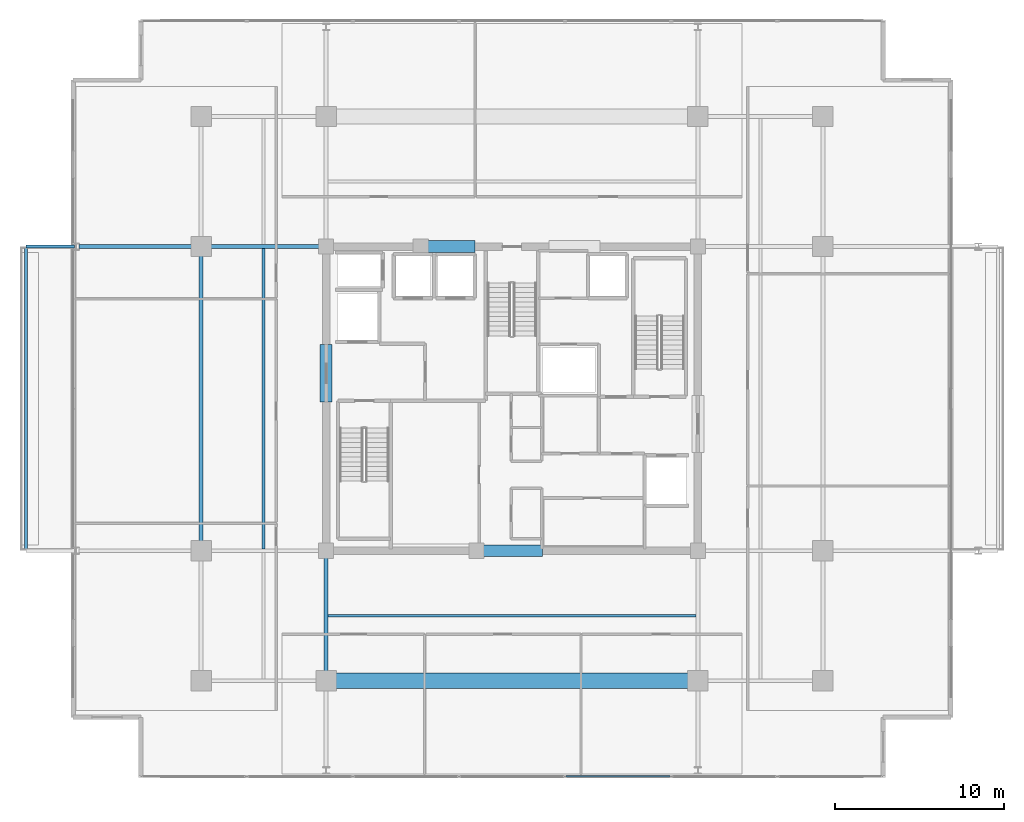
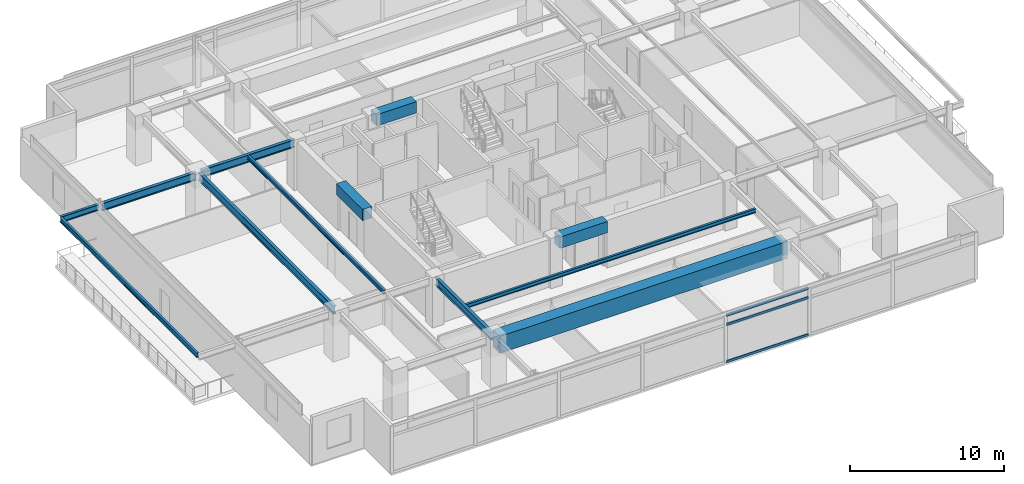
# One storey, part 5 of 21: 12 beams, 3 members, 1 element without a shape of its own.
"""IFC4 building model written with IfcOpenShell, lengths in metres."""

from ifc_helpers import new_model, si_unit, direction, frame, origin, origin_2d, place, context, subcontext, project, spatial, rectangle, hollow_rectangle, i_section, extrude, material, material_profile, profile_set, type_object, element, aggregate, save


model = new_model("IFC4")

# Units and contexts
model_context = context("Model", 3, precision=1e-05, world=origin(), true_north=direction((0.0, 1.0)))
body_context = subcontext(model_context, "Body", "Model", "MODEL_VIEW")
ifc_project = project(units=[si_unit("LENGTHUNIT", "METRE"), si_unit("AREAUNIT", "SQUARE_METRE"), si_unit("VOLUMEUNIT", "CUBIC_METRE"), si_unit("PLANEANGLEUNIT", "RADIAN"), si_unit("MASSUNIT", "GRAM", prefix="KILO")], contexts=[model_context])

# Site, building, storey
site_placement = place(None, origin())
site = spatial("IfcSite", under=ifc_project, at=site_placement, CompositionType="ELEMENT")
building_placement = place(site_placement, origin())
building = spatial("IfcBuilding", under=site, at=building_placement, Name="Kovane Verandah Tower", CompositionType="ELEMENT")
storey_placement = place(building_placement, frame((0.0, 0.0, 275.199951171875)))
storey = spatial("IfcBuildingStorey", under=building, at=storey_placement, Name="L64", CompositionType="ELEMENT", Elevation=275.199951171875)

# Beams
ifc_material_1 = material(Name="Concrete C60/75", Category="concrete")
ifc_material_profile_1 = material_profile(ifc_material_1, rectangle(XDim=0.699951171875, YDim=0.89990234375, at=origin_2d()), Name="RCB700x900")
ifc_profile_set_1 = profile_set([ifc_material_profile_1], Name="Concrete C60/75")
beam_type_1 = type_object("IfcBeamType", Name="BM-LINTEL-700x900", PredefinedType="LINTEL", material=ifc_profile_set_1)
beam_1_placement = place(storey_placement, frame((38.199951171875, 18.5, 3.3349609375), z_axis=(1.0, 0.0, 0.0), x_axis=(0.0, 1.0, 0.0)))
element("IfcBeam", 1, at=beam_1_placement, inside=storey, type_object=beam_type_1, Name="L64 Core Coupling Lintel CL-S", PredefinedType="LINTEL", context=body_context, shape_type="SweptSolid", body=[
    extrude(rectangle(XDim=0.699951171875, YDim=0.89990234375, at=origin_2d()), origin(), (0.0, 0.0, 1.0), 3.60009765625),
])
beam_2_placement = place(storey_placement, frame((34.800048828125, 36.5, 3.3349609375), z_axis=(1.0, 0.0, 0.0), x_axis=(0.0, 1.0, 0.0)))
element("IfcBeam", 2, at=beam_2_placement, inside=storey, type_object=beam_type_1, Name="L64 Core Coupling Lintel CL-N1", PredefinedType="LINTEL", context=body_context, shape_type="SweptSolid", body=[
    extrude(rectangle(XDim=0.699951171875, YDim=0.89990234375, at=origin_2d()), origin(), (0.0, 0.0, 1.0), 3.0),
])
beam_3_placement = place(storey_placement, frame((29.0, 27.300048828125, 3.3349609375), z_axis=(0.0, 1.0, 0.0), x_axis=(-1.0, 0.0, 0.0)))
element("IfcBeam", 3, at=beam_3_placement, inside=storey, type_object=beam_type_1, Name="L64 Core Coupling Lintel CL-W", PredefinedType="LINTEL", context=body_context, shape_type="SweptSolid", body=[
    extrude(rectangle(XDim=0.699951171875, YDim=0.89990234375, at=origin_2d()), origin(), (0.0, 0.0, 1.0), 3.39990234375),
])
ifc_material_2 = material(Name="Concrete C80/95", Category="concrete")
ifc_material_profile_2 = material_profile(ifc_material_2, rectangle(XDim=0.89990234375, YDim=1.35009765625, at=origin_2d()), Name="RCB900x1350")
ifc_profile_set_2 = profile_set([ifc_material_profile_2], Name="Concrete C80/95")
beam_type_2 = type_object("IfcBeamType", Name="BM-TR-900x1350", PredefinedType="BEAM", material=ifc_profile_set_2)
beam_4_placement = place(storey_placement, frame((29.179931640625, 10.800048828125, 3.110107421875), z_axis=(1.0, 0.0, 0.0), x_axis=(0.0, 1.0, 0.0)))
element("IfcBeam", 4, at=beam_4_placement, inside=storey, type_object=beam_type_2, Name="L64 Primary Tower Girder G-RS2", PredefinedType="BEAM", context=body_context, shape_type="SweptSolid", body=[
    extrude(rectangle(XDim=0.89990234375, YDim=1.35009765625, at=origin_2d()), origin(), (0.0, 0.0, 1.0), 21.64013671875),
])
ifc_material_3 = material(Name="Steel S355", Category="steel")
ifc_material_profile_3 = material_profile(ifc_material_3, i_section(OverallWidth=0.230224609375, OverallDepth=0.6171875, WebThickness=0.01318359375, FlangeThickness=0.022216796875, FilletRadius=0.0126953125, at=origin_2d()), Name="UB610x229x140")
ifc_profile_set_3 = profile_set([ifc_material_profile_3], Name="Steel S355")
beam_type_3 = type_object("IfcBeamType", Name="BM-UB610x140", PredefinedType="BEAM", material=ifc_profile_set_3)
beam_5_placement = place(storey_placement, frame((21.60009765625, 18.679931640625, 3.4765625), z_axis=(0.0, 1.0, 0.0), x_axis=(-1.0, 0.0, 0.0)))
element("IfcBeam", 5, at=beam_5_placement, inside=storey, type_object=beam_type_3, Name="L64 Primary Tower Girder G-RW2", PredefinedType="BEAM", context=body_context, shape_type="SweptSolid", body=[
    extrude(i_section(OverallWidth=0.230224609375, OverallDepth=0.6171875, WebThickness=0.01318359375, FlangeThickness=0.022216796875, FilletRadius=0.0126953125, at=origin_2d()), origin(), (0.0, 0.0, 1.0), 17.64013671875),
])
beam_6_placement = place(storey_placement, frame((28.820068359375, 36.5, 3.4765625), z_axis=(-1.0, 0.0, 0.0), x_axis=(0.0, -1.0, 0.0)))
element("IfcBeam", 6, at=beam_6_placement, inside=storey, type_object=beam_type_3, Name="L64 Primary Tower Girder G-W2", PredefinedType="BEAM", context=body_context, shape_type="SweptSolid", body=[
    extrude(i_section(OverallWidth=0.230224609375, OverallDepth=0.6171875, WebThickness=0.01318359375, FlangeThickness=0.022216796875, FilletRadius=0.0126953125, at=origin_2d()), origin(), (0.0, 0.0, 1.0), 7.0400390625),
])
beam_7_placement = place(storey_placement, frame((29.0, 18.320068359375, 3.4765625), z_axis=(0.0, -1.0, 0.0), x_axis=(1.0, 0.0, 0.0)))
element("IfcBeam", 7, at=beam_7_placement, inside=storey, type_object=beam_type_3, Name="L64 Primary Tower Girder G-S1", PredefinedType="BEAM", context=body_context, shape_type="SweptSolid", body=[
    extrude(i_section(OverallWidth=0.230224609375, OverallDepth=0.6171875, WebThickness=0.01318359375, FlangeThickness=0.022216796875, FilletRadius=0.0126953125, at=origin_2d()), origin(), (0.0, 0.0, 1.0), 7.340087890625),
])
beam_8_placement = place(storey_placement, frame((21.419921875, 36.5, 3.451416015625), z_axis=(-1.0, 0.0, 0.0), x_axis=(0.0, -1.0, 0.0)))
element("IfcBeam", 8, at=beam_8_placement, inside=storey, type_object=beam_type_3, Name="L64 Primary Tower Girder G-VW2", PredefinedType="BEAM", context=body_context, shape_type="SweptSolid", body=[
    extrude(i_section(OverallWidth=0.230224609375, OverallDepth=0.6171875, WebThickness=0.01318359375, FlangeThickness=0.022216796875, FilletRadius=0.0126953125, at=origin_2d()), origin(), (0.0, 0.0, 1.0), 7.0400390625),
])

# Curtain wall, members
ifc_material_4 = material(Name="Champagne Anodised Aluminium Frame with Low-E Clear Laminated Glass", Category="aluminium")
curtain_wall_type = type_object("IfcCurtainWallType", Name="CW-SYS-05-HIGH", PredefinedType="NOTDEFINED", material=ifc_material_4)
curtain_wall_placement = place(storey_placement, origin())
curtain_wall = element("IfcCurtainWall", 9, at=curtain_wall_placement, inside=storey, type_object=curtain_wall_type, Name="L64 S Unitised Curtain Wall", PredefinedType="NOTDEFINED")
ifc_material_5 = material(Name="Champagne Anodised Aluminium 6063-T6", Category="aluminium")
ifc_material_profile_4 = material_profile(ifc_material_5, hollow_rectangle(XDim=0.0849609375, YDim=0.18994140625, WallThickness=0.00390625, at=origin_2d()), Name="AL85x190x4")
ifc_profile_set_4 = profile_set([ifc_material_profile_4], Name="Champagne Anodised Aluminium 6063-T6")
member_type = type_object("IfcMemberType", Name="CW-TRN-85x190", PredefinedType="USERDEFINED", material=ifc_profile_set_4)
member_1_placement = place(storey_placement, frame((43.1884765625, 5.139892578125, 0.050048828125), z_axis=(1.0, 0.0, 0.0), x_axis=(0.0, 1.0, 0.0)))
member_1 = element("IfcMember", 10, at=member_1_placement, type_object=member_type, Name="L64 S Unitised Curtain Wall Transom TB Bay 5", ObjectType="TRANSOM", PredefinedType="USERDEFINED", context=body_context, shape_type="SweptSolid", body=[
    extrude(hollow_rectangle(XDim=0.0849609375, YDim=0.18994140625, WallThickness=0.00390625, at=origin_2d()), origin(), (0.0, 0.0, 1.0), 6.177001953125),
])
member_2_placement = place(storey_placement, frame((43.1884765625, 5.139892578125, 3.005126953125), z_axis=(1.0, 0.0, 0.0), x_axis=(0.0, 1.0, 0.0)))
member_2 = element("IfcMember", 11, at=member_2_placement, type_object=member_type, Name="L64 S Unitised Curtain Wall Transom TM Bay 5", ObjectType="TRANSOM", PredefinedType="USERDEFINED", context=body_context, shape_type="SweptSolid", body=[
    extrude(hollow_rectangle(XDim=0.0849609375, YDim=0.18994140625, WallThickness=0.00390625, at=origin_2d()), origin(), (0.0, 0.0, 1.0), 6.177001953125),
])
member_3_placement = place(storey_placement, frame((43.1884765625, 5.139892578125, 3.735107421875), z_axis=(1.0, 0.0, 0.0), x_axis=(0.0, 1.0, 0.0)))
member_3 = element("IfcMember", 12, at=member_3_placement, type_object=member_type, Name="L64 S Unitised Curtain Wall Transom TT Bay 5", ObjectType="TRANSOM", PredefinedType="USERDEFINED", context=body_context, shape_type="SweptSolid", body=[
    extrude(hollow_rectangle(XDim=0.0849609375, YDim=0.18994140625, WallThickness=0.00390625, at=origin_2d()), origin(), (0.0, 0.0, 1.0), 6.177001953125),
])
aggregate(curtain_wall, [member_1, member_2, member_3])

# Beams
ifc_material_profile_5 = material_profile(ifc_material_3, i_section(OverallWidth=0.1669921875, OverallDepth=0.310302734375, WebThickness=0.0078125, FlangeThickness=0.013671875, FilletRadius=0.0087890625, at=origin_2d()), Name="UB305x165x54")
ifc_profile_set_5 = profile_set([ifc_material_profile_5], Name="Steel S355")
beam_type_4 = type_object("IfcBeamType", Name="JST-UB305x54", PredefinedType="JOIST", material=ifc_profile_set_5)
beam_9_placement = place(storey_placement, frame((29.113037109375, 14.64990234375, 3.6298828125), z_axis=(1.0, 0.0, 0.0), x_axis=(0.0, 1.0, 0.0)))
element("IfcBeam", 13, at=beam_9_placement, inside=storey, type_object=beam_type_4, Name="L64 Secondary Composite Joist J-S1", PredefinedType="JOIST", context=body_context, shape_type="SweptSolid", body=[
    extrude(i_section(OverallWidth=0.1669921875, OverallDepth=0.310302734375, WebThickness=0.0078125, FlangeThickness=0.013671875, FilletRadius=0.0087890625, at=origin_2d()), origin(), (0.0, 0.0, 1.0), 21.77392578125),
])
beam_10_placement = place(storey_placement, frame((25.300048828125, 18.613037109375, 3.6298828125), z_axis=(0.0, 1.0, 0.0), x_axis=(-1.0, 0.0, 0.0)))
element("IfcBeam", 14, at=beam_10_placement, inside=storey, type_object=beam_type_4, Name="L64 Secondary Composite Joist J-W1", PredefinedType="JOIST", context=body_context, shape_type="SweptSolid", body=[
    extrude(i_section(OverallWidth=0.1669921875, OverallDepth=0.310302734375, WebThickness=0.0078125, FlangeThickness=0.013671875, FilletRadius=0.0087890625, at=origin_2d()), origin(), (0.0, 0.0, 1.0), 17.77392578125),
])
ifc_material_profile_6 = material_profile(ifc_material_3, i_section(OverallWidth=0.19287109375, OverallDepth=0.46728515625, WebThickness=0.011474609375, FlangeThickness=0.01953125, FilletRadius=0.01025390625, at=origin_2d()), Name="UB457x191x98")
ifc_profile_set_6 = profile_set([ifc_material_profile_6], Name="Steel S355")
beam_type_5 = type_object("IfcBeamType", Name="JST-UB457x98", PredefinedType="JOIST", material=ifc_profile_set_6)
beam_11_placement = place(storey_placement, frame((14.1201171875, 36.5, 3.5263671875), z_axis=(-1.0, 0.0, 0.0), x_axis=(0.0, -1.0, 0.0)))
element("IfcBeam", 15, at=beam_11_placement, inside=storey, type_object=beam_type_5, Name="L64 West Planter Girder 2", PredefinedType="JOIST", context=body_context, shape_type="SweptSolid", body=[
    extrude(i_section(OverallWidth=0.19287109375, OverallDepth=0.46728515625, WebThickness=0.011474609375, FlangeThickness=0.01953125, FilletRadius=0.01025390625, at=origin_2d()), origin(), (0.0, 0.0, 1.0), 2.8798828125),
])
ifc_material_profile_7 = material_profile(ifc_material_3, i_section(OverallWidth=0.173095703125, OverallDepth=0.36328125, WebThickness=0.009033203125, FlangeThickness=0.015625, FilletRadius=0.01025390625, at=origin_2d()), Name="UB356x171x67")
ifc_profile_set_7 = profile_set([ifc_material_profile_7], Name="Steel S355")
beam_type_6 = type_object("IfcBeamType", Name="SPD-UB356x67", PredefinedType="USERDEFINED", material=ifc_profile_set_7)
beam_12_placement = place(storey_placement, frame((11.240234375, 18.594482421875, 3.578369140625), z_axis=(0.0, 1.0, 0.0), x_axis=(-1.0, 0.0, 0.0)))
element("IfcBeam", 16, at=beam_12_placement, inside=storey, type_object=beam_type_6, Name="L64 West Planter Edge Spandrel", ObjectType="SPANDREL", PredefinedType="USERDEFINED", context=body_context, shape_type="SweptSolid", body=[
    extrude(i_section(OverallWidth=0.173095703125, OverallDepth=0.36328125, WebThickness=0.009033203125, FlangeThickness=0.015625, FilletRadius=0.01025390625, at=origin_2d()), origin(), (0.0, 0.0, 1.0), 17.81103515625),
])

save(model, "model.ifc")
